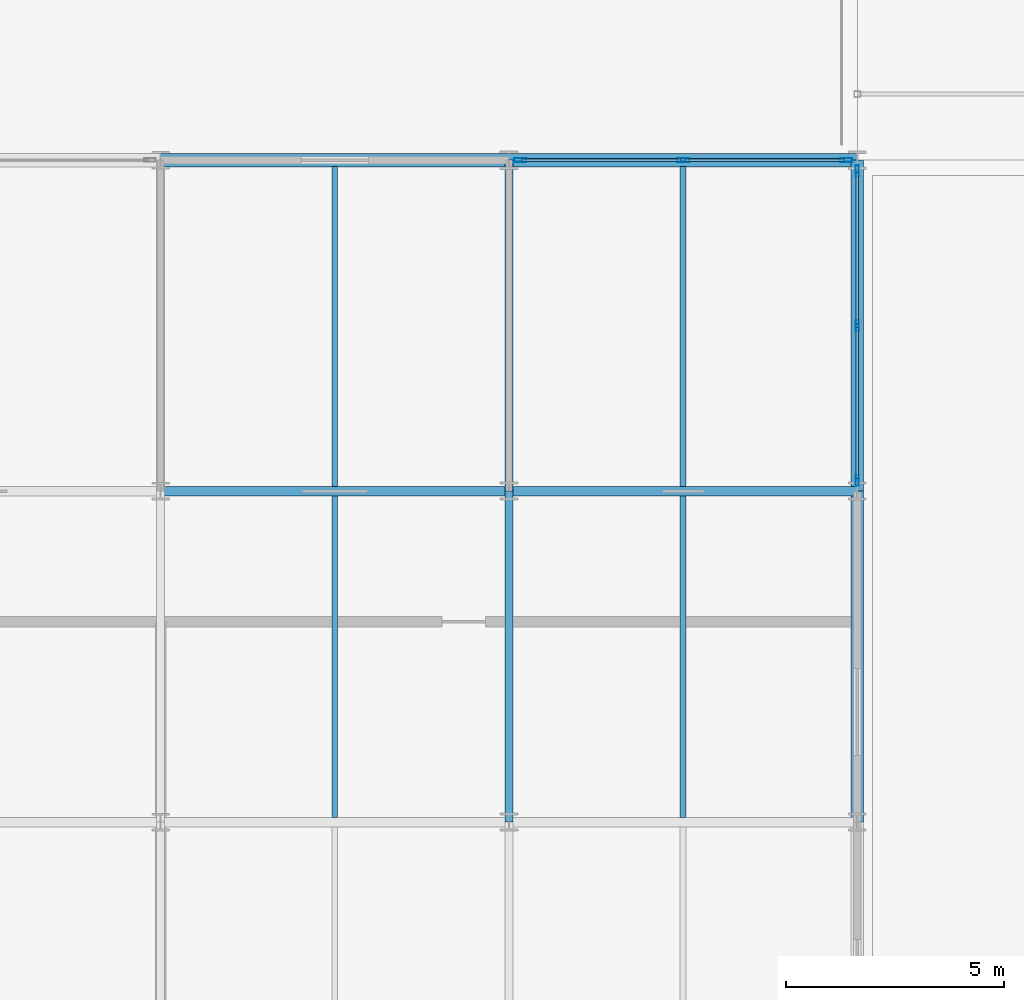
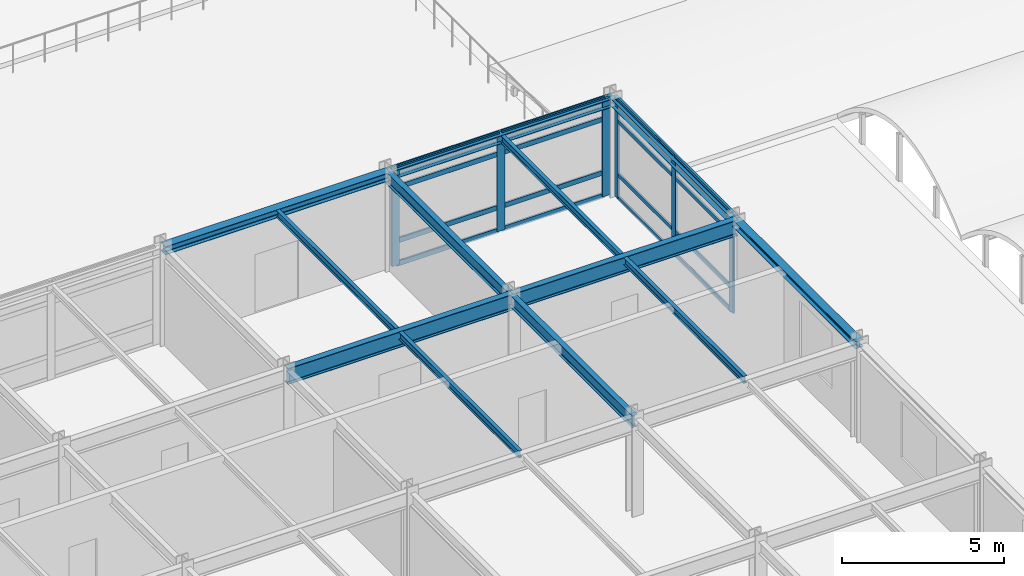
# One storey, part 11 of 46: 22 members, 12 beams, 2 elements without a shape of their own.
"""IFC4 building model written with IfcOpenShell, lengths in metres."""

from ifc_helpers import new_model, si_unit, direction, frame, origin, origin_2d, place, context, subcontext, project, spatial, hollow_rectangle, i_section, extrude, material, layer, layer_set, material_profile, profile_set, type_object, element, aggregate, save


model = new_model("IFC4")

# Units and contexts
model_context = context("Model", 3, precision=1e-05, world=origin(), true_north=direction((0.0, 1.0)))
body_context = subcontext(model_context, "Body", "Model", "MODEL_VIEW")
ifc_project = project(units=[si_unit("LENGTHUNIT", "METRE"), si_unit("AREAUNIT", "SQUARE_METRE"), si_unit("VOLUMEUNIT", "CUBIC_METRE"), si_unit("PLANEANGLEUNIT", "RADIAN"), si_unit("MASSUNIT", "GRAM", prefix="KILO")], contexts=[model_context])

# Site, building, storey
site_placement = place(None, origin())
site = spatial("IfcSite", under=ifc_project, at=site_placement, CompositionType="ELEMENT")
building_placement = place(site_placement, origin())
building = spatial("IfcBuilding", under=site, at=building_placement, Name="Shalkamar Park Central Library", CompositionType="ELEMENT")
storey_placement = place(building_placement, frame((0.0, 0.0, 20.39990234375)))
storey = spatial("IfcBuildingStorey", under=building, at=storey_placement, Name="L05", CompositionType="ELEMENT", Elevation=20.39990234375)

# Beams
ifc_material_1 = material(Name="Steel S355", Category="steel")
ifc_material_profile_1 = material_profile(ifc_material_1, i_section(OverallWidth=0.135009765625, OverallDepth=0.27001953125, WebThickness=0.006591796875, FlangeThickness=0.01025390625, FilletRadius=0.014892578125, at=origin_2d()), Name="IPE 270")
ifc_profile_set_1 = profile_set([ifc_material_profile_1], Name="Steel S355")
beam_type_1 = type_object("IfcBeamType", Name="Composite Floor Joist IPE270", PredefinedType="JOIST", material=ifc_profile_set_1)
beam_1_placement = place(storey_placement, frame((209.0, 278.10791015625, 3.525146484375), z_axis=(0.0, 1.0, 0.0), x_axis=(-1.0, 0.0, 0.0)))
element("IfcBeam", 1, at=beam_1_placement, inside=storey, type_object=beam_type_1, Name="Composite Joist 12/F-1 (L05)", PredefinedType="JOIST", context=body_context, shape_type="SweptSolid", body=[
    extrude(i_section(OverallWidth=0.135009765625, OverallDepth=0.27001953125, WebThickness=0.006591796875, FlangeThickness=0.01025390625, FilletRadius=0.014892578125, at=origin_2d()), origin(), (0.0, 0.0, 1.0), 7.384033203125),
])
beam_2_placement = place(storey_placement, frame((209.0, 285.7080078125, 3.525146484375), z_axis=(0.0, 1.0, 0.0), x_axis=(-1.0, 0.0, 0.0)))
element("IfcBeam", 2, at=beam_2_placement, inside=storey, type_object=beam_type_1, Name="Composite Joist 12/G-1 (L05)", PredefinedType="JOIST", context=body_context, shape_type="SweptSolid", body=[
    extrude(i_section(OverallWidth=0.135009765625, OverallDepth=0.27001953125, WebThickness=0.006591796875, FlangeThickness=0.01025390625, FilletRadius=0.014892578125, at=origin_2d()), origin(), (0.0, 0.0, 1.0), 7.343994140625),
])
beam_3_placement = place(storey_placement, frame((217.0, 278.10791015625, 3.525146484375), z_axis=(0.0, 1.0, 0.0), x_axis=(-1.0, 0.0, 0.0)))
element("IfcBeam", 3, at=beam_3_placement, inside=storey, type_object=beam_type_1, Name="Composite Joist 13/F-1 (L05)", PredefinedType="JOIST", context=body_context, shape_type="SweptSolid", body=[
    extrude(i_section(OverallWidth=0.135009765625, OverallDepth=0.27001953125, WebThickness=0.006591796875, FlangeThickness=0.01025390625, FilletRadius=0.014892578125, at=origin_2d()), origin(), (0.0, 0.0, 1.0), 7.384033203125),
])
beam_4_placement = place(storey_placement, frame((217.0, 285.7080078125, 3.525146484375), z_axis=(0.0, 1.0, 0.0), x_axis=(-1.0, 0.0, 0.0)))
element("IfcBeam", 4, at=beam_4_placement, inside=storey, type_object=beam_type_1, Name="Composite Joist 13/G-1 (L05)", PredefinedType="JOIST", context=body_context, shape_type="SweptSolid", body=[
    extrude(i_section(OverallWidth=0.135009765625, OverallDepth=0.27001953125, WebThickness=0.006591796875, FlangeThickness=0.01025390625, FilletRadius=0.014892578125, at=origin_2d()), origin(), (0.0, 0.0, 1.0), 7.343994140625),
])

# Curtain wall, members
ifc_material_2 = material(Name="Thermally broken aluminium and triple low-e curtain wall", Category="aluminium")
ifc_layer_1 = layer(ifc_material_2, 0.260009765625)
ifc_layer_set_1 = layer_set([ifc_layer_1], Name="UnitisedCurtainWall_71")
curtain_wall_type_1 = type_object("IfcCurtainWallType", Name="Unitised Curtain Wall 71", PredefinedType="USERDEFINED", material=ifc_layer_set_1)
curtain_wall_1_placement = place(storey_placement, origin())
curtain_wall_1 = element("IfcCurtainWall", 5, at=curtain_wall_1_placement, inside=storey, type_object=curtain_wall_type_1, Name="Unitised Curtain Wall CW-L05-088", ObjectType="UNITISED CURTAIN WALL", PredefinedType="USERDEFINED")
ifc_material_3 = material(Name="Aluminium 6060-T66", Category="aluminium")
ifc_material_profile_2 = material_profile(ifc_material_3, hollow_rectangle(XDim=0.074951171875, YDim=0.260009765625, WallThickness=0.00439453125, InnerFilletRadius=0.00439453125, OuterFilletRadius=0.0068359375, at=origin_2d()), Name="ALU 75x260x4.5")
ifc_profile_set_2 = profile_set([ifc_material_profile_2], Name="Aluminium 6060-T66")
member_type_1 = type_object("IfcMemberType", Name="Curtain Wall Mullion ALU75x260", PredefinedType="MULLION", material=ifc_profile_set_2)
member_1_placement = place(storey_placement, frame((221.0, 285.849609375, 0.0), z_axis=(0.0, 0.0, 1.0), x_axis=(-1.0, 0.0, 0.0)))
member_1 = element("IfcMember", 6, at=member_1_placement, type_object=member_type_1, Name="CW-71 mullion 1", PredefinedType="MULLION", context=body_context, shape_type="SweptSolid", body=[
    extrude(hollow_rectangle(XDim=0.074951171875, YDim=0.260009765625, WallThickness=0.00439453125, InnerFilletRadius=0.00439453125, OuterFilletRadius=0.0068359375, at=origin_2d()), origin(), (0.0, 0.0, 1.0), 3.66015625),
])
member_2_placement = place(storey_placement, frame((221.0, 289.39990234375, 0.0), z_axis=(0.0, 0.0, 1.0), x_axis=(-1.0, 0.0, 0.0)))
member_2 = element("IfcMember", 7, at=member_2_placement, type_object=member_type_1, Name="CW-71 mullion 2", PredefinedType="MULLION", context=body_context, shape_type="SweptSolid", body=[
    extrude(hollow_rectangle(XDim=0.074951171875, YDim=0.260009765625, WallThickness=0.00439453125, InnerFilletRadius=0.00439453125, OuterFilletRadius=0.0068359375, at=origin_2d()), origin(), (0.0, 0.0, 1.0), 3.66015625),
])
member_3_placement = place(storey_placement, frame((221.0, 292.950439453125, 0.0), z_axis=(0.0, 0.0, 1.0), x_axis=(-1.0, 0.0, 0.0)))
member_3 = element("IfcMember", 8, at=member_3_placement, type_object=member_type_1, Name="CW-71 mullion 3", PredefinedType="MULLION", context=body_context, shape_type="SweptSolid", body=[
    extrude(hollow_rectangle(XDim=0.074951171875, YDim=0.260009765625, WallThickness=0.00439453125, InnerFilletRadius=0.00439453125, OuterFilletRadius=0.0068359375, at=origin_2d()), origin(), (0.0, 0.0, 1.0), 3.66015625),
])

ifc_layer_2 = layer(ifc_material_2, 0.280029296875)
ifc_layer_set_2 = layer_set([ifc_layer_2], Name="UnitisedCurtainWall_67")
curtain_wall_type_2 = type_object("IfcCurtainWallType", Name="Unitised Curtain Wall 67", PredefinedType="USERDEFINED", material=ifc_layer_set_2)
curtain_wall_2_placement = place(storey_placement, origin())
curtain_wall_2 = element("IfcCurtainWall", 9, at=curtain_wall_2_placement, inside=storey, type_object=curtain_wall_type_2, Name="Unitised Curtain Wall CW-L05-086", ObjectType="UNITISED CURTAIN WALL", PredefinedType="USERDEFINED")
ifc_material_profile_3 = material_profile(ifc_material_3, hollow_rectangle(XDim=0.090087890625, YDim=0.280029296875, WallThickness=0.0048828125, InnerFilletRadius=0.0048828125, OuterFilletRadius=0.007568359375, at=origin_2d()), Name="ALU 90x280x5")
ifc_profile_set_3 = profile_set([ifc_material_profile_3], Name="Aluminium 6060-T66")
member_type_2 = type_object("IfcMemberType", Name="Curtain Wall Mullion ALU90x280", PredefinedType="MULLION", material=ifc_profile_set_3)
member_4_placement = place(storey_placement, frame((213.257080078125, 293.199951171875, 0.0), z_axis=(0.0, 0.0, 1.0), x_axis=(0.0, 1.0, 0.0)))
member_4 = element("IfcMember", 10, at=member_4_placement, type_object=member_type_2, Name="CW-67 mullion 1", PredefinedType="MULLION", context=body_context, shape_type="SweptSolid", body=[
    extrude(hollow_rectangle(XDim=0.090087890625, YDim=0.280029296875, WallThickness=0.0048828125, InnerFilletRadius=0.0048828125, OuterFilletRadius=0.007568359375, at=origin_2d()), origin(), (0.0, 0.0, 1.0), 3.66015625),
])
member_5_placement = place(storey_placement, frame((217.0, 293.199951171875, 0.0), z_axis=(0.0, 0.0, 1.0), x_axis=(0.0, 1.0, 0.0)))
member_5 = element("IfcMember", 11, at=member_5_placement, type_object=member_type_2, Name="CW-67 mullion 2", PredefinedType="MULLION", context=body_context, shape_type="SweptSolid", body=[
    extrude(hollow_rectangle(XDim=0.090087890625, YDim=0.280029296875, WallThickness=0.0048828125, InnerFilletRadius=0.0048828125, OuterFilletRadius=0.007568359375, at=origin_2d()), origin(), (0.0, 0.0, 1.0), 3.66015625),
])
member_6_placement = place(storey_placement, frame((220.742919921875, 293.199951171875, 0.0), z_axis=(0.0, 0.0, 1.0), x_axis=(0.0, 1.0, 0.0)))
member_6 = element("IfcMember", 12, at=member_6_placement, type_object=member_type_2, Name="CW-67 mullion 3", PredefinedType="MULLION", context=body_context, shape_type="SweptSolid", body=[
    extrude(hollow_rectangle(XDim=0.090087890625, YDim=0.280029296875, WallThickness=0.0048828125, InnerFilletRadius=0.0048828125, OuterFilletRadius=0.007568359375, at=origin_2d()), origin(), (0.0, 0.0, 1.0), 3.66015625),
])

# Member
ifc_material_profile_4 = material_profile(ifc_material_3, hollow_rectangle(XDim=0.06005859375, YDim=0.1650390625, WallThickness=0.00390625, InnerFilletRadius=0.00390625, OuterFilletRadius=0.006103515625, at=origin_2d()), Name="ALU 60x165x4")
ifc_profile_set_4 = profile_set([ifc_material_profile_4], Name="Aluminium 6060-T66")
member_type_3 = type_object("IfcMemberType", Name="Curtain Wall Transom ALU60x165", PredefinedType="USERDEFINED", material=ifc_profile_set_4)
member_7_placement = place(storey_placement, frame((221.0, 285.886962890625, 0.030029296875), z_axis=(0.0, 1.0, 0.0), x_axis=(-1.0, 0.0, 0.0)))
member_7 = element("IfcMember", 13, at=member_7_placement, type_object=member_type_3, Name="CW-71 transom 1.1", ObjectType="TRANSOM", PredefinedType="USERDEFINED", context=body_context, shape_type="SweptSolid", body=[
    extrude(hollow_rectangle(XDim=0.06005859375, YDim=0.1650390625, WallThickness=0.00390625, InnerFilletRadius=0.00390625, OuterFilletRadius=0.006103515625, at=origin_2d()), origin(), (0.0, 0.0, 1.0), 3.4755859375),
])

member_8_placement = place(storey_placement, frame((221.0, 285.886962890625, 0.900146484375), z_axis=(0.0, 1.0, 0.0), x_axis=(-1.0, 0.0, 0.0)))
member_8 = element("IfcMember", 14, at=member_8_placement, type_object=member_type_3, Name="CW-71 transom 1.2", ObjectType="TRANSOM", PredefinedType="USERDEFINED", context=body_context, shape_type="SweptSolid", body=[
    extrude(hollow_rectangle(XDim=0.06005859375, YDim=0.1650390625, WallThickness=0.00390625, InnerFilletRadius=0.00390625, OuterFilletRadius=0.006103515625, at=origin_2d()), origin(), (0.0, 0.0, 1.0), 3.4755859375),
])

member_9_placement = place(storey_placement, frame((221.0, 285.886962890625, 2.91015625), z_axis=(0.0, 1.0, 0.0), x_axis=(-1.0, 0.0, 0.0)))
member_9 = element("IfcMember", 15, at=member_9_placement, type_object=member_type_3, Name="CW-71 transom 1.3", ObjectType="TRANSOM", PredefinedType="USERDEFINED", context=body_context, shape_type="SweptSolid", body=[
    extrude(hollow_rectangle(XDim=0.06005859375, YDim=0.1650390625, WallThickness=0.00390625, InnerFilletRadius=0.00390625, OuterFilletRadius=0.006103515625, at=origin_2d()), origin(), (0.0, 0.0, 1.0), 3.4755859375),
])

member_10_placement = place(storey_placement, frame((221.0, 285.886962890625, 3.630126953125), z_axis=(0.0, 1.0, 0.0), x_axis=(-1.0, 0.0, 0.0)))
member_10 = element("IfcMember", 16, at=member_10_placement, type_object=member_type_3, Name="CW-71 transom 1.4", ObjectType="TRANSOM", PredefinedType="USERDEFINED", context=body_context, shape_type="SweptSolid", body=[
    extrude(hollow_rectangle(XDim=0.06005859375, YDim=0.1650390625, WallThickness=0.00390625, InnerFilletRadius=0.00390625, OuterFilletRadius=0.006103515625, at=origin_2d()), origin(), (0.0, 0.0, 1.0), 3.4755859375),
])

member_11_placement = place(storey_placement, frame((221.0, 289.4375, 0.030029296875), z_axis=(0.0, 1.0, 0.0), x_axis=(-1.0, 0.0, 0.0)))
member_11 = element("IfcMember", 17, at=member_11_placement, type_object=member_type_3, Name="CW-71 transom 2.1", ObjectType="TRANSOM", PredefinedType="USERDEFINED", context=body_context, shape_type="SweptSolid", body=[
    extrude(hollow_rectangle(XDim=0.06005859375, YDim=0.1650390625, WallThickness=0.00390625, InnerFilletRadius=0.00390625, OuterFilletRadius=0.006103515625, at=origin_2d()), origin(), (0.0, 0.0, 1.0), 3.4755859375),
])

member_12_placement = place(storey_placement, frame((221.0, 289.4375, 0.900146484375), z_axis=(0.0, 1.0, 0.0), x_axis=(-1.0, 0.0, 0.0)))
member_12 = element("IfcMember", 18, at=member_12_placement, type_object=member_type_3, Name="CW-71 transom 2.2", ObjectType="TRANSOM", PredefinedType="USERDEFINED", context=body_context, shape_type="SweptSolid", body=[
    extrude(hollow_rectangle(XDim=0.06005859375, YDim=0.1650390625, WallThickness=0.00390625, InnerFilletRadius=0.00390625, OuterFilletRadius=0.006103515625, at=origin_2d()), origin(), (0.0, 0.0, 1.0), 3.4755859375),
])

member_13_placement = place(storey_placement, frame((221.0, 289.4375, 2.91015625), z_axis=(0.0, 1.0, 0.0), x_axis=(-1.0, 0.0, 0.0)))
member_13 = element("IfcMember", 19, at=member_13_placement, type_object=member_type_3, Name="CW-71 transom 2.3", ObjectType="TRANSOM", PredefinedType="USERDEFINED", context=body_context, shape_type="SweptSolid", body=[
    extrude(hollow_rectangle(XDim=0.06005859375, YDim=0.1650390625, WallThickness=0.00390625, InnerFilletRadius=0.00390625, OuterFilletRadius=0.006103515625, at=origin_2d()), origin(), (0.0, 0.0, 1.0), 3.4755859375),
])

member_14_placement = place(storey_placement, frame((221.0, 289.4375, 3.630126953125), z_axis=(0.0, 1.0, 0.0), x_axis=(-1.0, 0.0, 0.0)))
member_14 = element("IfcMember", 20, at=member_14_placement, type_object=member_type_3, Name="CW-71 transom 2.4", ObjectType="TRANSOM", PredefinedType="USERDEFINED", context=body_context, shape_type="SweptSolid", body=[
    extrude(hollow_rectangle(XDim=0.06005859375, YDim=0.1650390625, WallThickness=0.00390625, InnerFilletRadius=0.00390625, OuterFilletRadius=0.006103515625, at=origin_2d()), origin(), (0.0, 0.0, 1.0), 3.4755859375),
])

aggregate(curtain_wall_1, [member_1, member_2, member_3, member_7, member_8, member_9, member_10, member_11, member_12, member_13, member_14])

ifc_material_profile_5 = material_profile(ifc_material_3, hollow_rectangle(XDim=0.070068359375, YDim=0.18994140625, WallThickness=0.0048828125, InnerFilletRadius=0.0048828125, OuterFilletRadius=0.007568359375, at=origin_2d()), Name="ALU 70x190x5")
ifc_profile_set_5 = profile_set([ifc_material_profile_5], Name="Aluminium 6060-T66")
member_type_4 = type_object("IfcMemberType", Name="Curtain Wall Transom ALU70x190", PredefinedType="USERDEFINED", material=ifc_profile_set_5)
member_15_placement = place(storey_placement, frame((213.302001953125, 293.199951171875, 0.03515625), z_axis=(1.0, 0.0, 0.0), x_axis=(0.0, 1.0, 0.0)))
member_15 = element("IfcMember", 21, at=member_15_placement, type_object=member_type_4, Name="CW-67 transom 1.1", ObjectType="TRANSOM", PredefinedType="USERDEFINED", context=body_context, shape_type="SweptSolid", body=[
    extrude(hollow_rectangle(XDim=0.070068359375, YDim=0.18994140625, WallThickness=0.0048828125, InnerFilletRadius=0.0048828125, OuterFilletRadius=0.007568359375, at=origin_2d()), origin(), (0.0, 0.0, 1.0), 3.653076171875),
])

member_16_placement = place(storey_placement, frame((213.302001953125, 293.199951171875, 0.900146484375), z_axis=(1.0, 0.0, 0.0), x_axis=(0.0, 1.0, 0.0)))
member_16 = element("IfcMember", 22, at=member_16_placement, type_object=member_type_4, Name="CW-67 transom 1.2", ObjectType="TRANSOM", PredefinedType="USERDEFINED", context=body_context, shape_type="SweptSolid", body=[
    extrude(hollow_rectangle(XDim=0.070068359375, YDim=0.18994140625, WallThickness=0.0048828125, InnerFilletRadius=0.0048828125, OuterFilletRadius=0.007568359375, at=origin_2d()), origin(), (0.0, 0.0, 1.0), 3.653076171875),
])

member_17_placement = place(storey_placement, frame((213.302001953125, 293.199951171875, 2.91015625), z_axis=(1.0, 0.0, 0.0), x_axis=(0.0, 1.0, 0.0)))
member_17 = element("IfcMember", 23, at=member_17_placement, type_object=member_type_4, Name="CW-67 transom 1.3", ObjectType="TRANSOM", PredefinedType="USERDEFINED", context=body_context, shape_type="SweptSolid", body=[
    extrude(hollow_rectangle(XDim=0.070068359375, YDim=0.18994140625, WallThickness=0.0048828125, InnerFilletRadius=0.0048828125, OuterFilletRadius=0.007568359375, at=origin_2d()), origin(), (0.0, 0.0, 1.0), 3.653076171875),
])

member_18_placement = place(storey_placement, frame((213.302001953125, 293.199951171875, 3.625), z_axis=(1.0, 0.0, 0.0), x_axis=(0.0, 1.0, 0.0)))
member_18 = element("IfcMember", 24, at=member_18_placement, type_object=member_type_4, Name="CW-67 transom 1.4", ObjectType="TRANSOM", PredefinedType="USERDEFINED", context=body_context, shape_type="SweptSolid", body=[
    extrude(hollow_rectangle(XDim=0.070068359375, YDim=0.18994140625, WallThickness=0.0048828125, InnerFilletRadius=0.0048828125, OuterFilletRadius=0.007568359375, at=origin_2d()), origin(), (0.0, 0.0, 1.0), 3.653076171875),
])

member_19_placement = place(storey_placement, frame((217.044921875, 293.199951171875, 0.03515625), z_axis=(1.0, 0.0, 0.0), x_axis=(0.0, 1.0, 0.0)))
member_19 = element("IfcMember", 25, at=member_19_placement, type_object=member_type_4, Name="CW-67 transom 2.1", ObjectType="TRANSOM", PredefinedType="USERDEFINED", context=body_context, shape_type="SweptSolid", body=[
    extrude(hollow_rectangle(XDim=0.070068359375, YDim=0.18994140625, WallThickness=0.0048828125, InnerFilletRadius=0.0048828125, OuterFilletRadius=0.007568359375, at=origin_2d()), origin(), (0.0, 0.0, 1.0), 3.653076171875),
])

member_20_placement = place(storey_placement, frame((217.044921875, 293.199951171875, 0.900146484375), z_axis=(1.0, 0.0, 0.0), x_axis=(0.0, 1.0, 0.0)))
member_20 = element("IfcMember", 26, at=member_20_placement, type_object=member_type_4, Name="CW-67 transom 2.2", ObjectType="TRANSOM", PredefinedType="USERDEFINED", context=body_context, shape_type="SweptSolid", body=[
    extrude(hollow_rectangle(XDim=0.070068359375, YDim=0.18994140625, WallThickness=0.0048828125, InnerFilletRadius=0.0048828125, OuterFilletRadius=0.007568359375, at=origin_2d()), origin(), (0.0, 0.0, 1.0), 3.653076171875),
])

member_21_placement = place(storey_placement, frame((217.044921875, 293.199951171875, 2.91015625), z_axis=(1.0, 0.0, 0.0), x_axis=(0.0, 1.0, 0.0)))
member_21 = element("IfcMember", 27, at=member_21_placement, type_object=member_type_4, Name="CW-67 transom 2.3", ObjectType="TRANSOM", PredefinedType="USERDEFINED", context=body_context, shape_type="SweptSolid", body=[
    extrude(hollow_rectangle(XDim=0.070068359375, YDim=0.18994140625, WallThickness=0.0048828125, InnerFilletRadius=0.0048828125, OuterFilletRadius=0.007568359375, at=origin_2d()), origin(), (0.0, 0.0, 1.0), 3.653076171875),
])

member_22_placement = place(storey_placement, frame((217.044921875, 293.199951171875, 3.625), z_axis=(1.0, 0.0, 0.0), x_axis=(0.0, 1.0, 0.0)))
member_22 = element("IfcMember", 28, at=member_22_placement, type_object=member_type_4, Name="CW-67 transom 2.4", ObjectType="TRANSOM", PredefinedType="USERDEFINED", context=body_context, shape_type="SweptSolid", body=[
    extrude(hollow_rectangle(XDim=0.070068359375, YDim=0.18994140625, WallThickness=0.0048828125, InnerFilletRadius=0.0048828125, OuterFilletRadius=0.007568359375, at=origin_2d()), origin(), (0.0, 0.0, 1.0), 3.653076171875),
])

aggregate(curtain_wall_2, [member_4, member_5, member_6, member_15, member_16, member_17, member_18, member_19, member_20, member_21, member_22])

# Beams
ifc_material_profile_6 = material_profile(ifc_material_1, i_section(OverallWidth=0.280029296875, OverallDepth=0.27001953125, WebThickness=0.008056640625, FlangeThickness=0.012939453125, FilletRadius=0.02392578125, at=origin_2d()), Name="HEA 280")
ifc_profile_set_6 = profile_set([ifc_material_profile_6], Name="Steel S355")
beam_type_2 = type_object("IfcBeamType", Name="Perimeter Spandrel Beam HEA280", PredefinedType="SPANDREL", material=ifc_profile_set_6)
beam_5_placement = place(storey_placement, frame((221.0, 278.0, 3.525146484375), z_axis=(0.0, 1.0, 0.0), x_axis=(-1.0, 0.0, 0.0)))
element("IfcBeam", 29, at=beam_5_placement, inside=storey, type_object=beam_type_2, Name="Beam 14:F-G (L05)", PredefinedType="SPANDREL", context=body_context, shape_type="SweptSolid", body=[
    extrude(i_section(OverallWidth=0.280029296875, OverallDepth=0.27001953125, WebThickness=0.008056640625, FlangeThickness=0.012939453125, FilletRadius=0.02392578125, at=origin_2d()), origin(), (0.0, 0.0, 1.0), 7.60009765625),
])
beam_6_placement = place(storey_placement, frame((221.0, 285.60009765625, 3.525146484375), z_axis=(0.0, 1.0, 0.0), x_axis=(-1.0, 0.0, 0.0)))
element("IfcBeam", 30, at=beam_6_placement, inside=storey, type_object=beam_type_2, Name="Beam 14:G-H (L05)", PredefinedType="SPANDREL", context=body_context, shape_type="SweptSolid", body=[
    extrude(i_section(OverallWidth=0.280029296875, OverallDepth=0.27001953125, WebThickness=0.008056640625, FlangeThickness=0.012939453125, FilletRadius=0.02392578125, at=origin_2d()), origin(), (0.0, 0.0, 1.0), 7.599853515625),
])
ifc_material_profile_7 = material_profile(ifc_material_1, i_section(OverallWidth=0.300048828125, OverallDepth=0.31005859375, WebThickness=0.009033203125, FlangeThickness=0.015380859375, FilletRadius=0.027099609375, at=origin_2d()), Name="HEA 320")
ifc_profile_set_7 = profile_set([ifc_material_profile_7], Name="Steel S355")
beam_type_3 = type_object("IfcBeamType", Name="Perimeter Spandrel Beam HEA320", PredefinedType="SPANDREL", material=ifc_profile_set_7)
for number, where, z_axis, x_axis, name in (
    (31, (205.0, 293.199951171875, 3.505126953125), (1.0, 0.0, 0.0), (0.0, 1.0, 0.0), "Beam H:12-13 (L05)"),
    (32, (213.0, 293.199951171875, 3.505126953125), (1.0, 0.0, 0.0), (0.0, 1.0, 0.0), "Beam H:13-14 (L05)"),
):
    element("IfcBeam", number, at=place(storey_placement, frame(where, z_axis=z_axis, x_axis=x_axis)), inside=storey, type_object=beam_type_3, Name=name, PredefinedType="SPANDREL", context=body_context, shape_type="SweptSolid", body=[
        extrude(i_section(OverallWidth=0.300048828125, OverallDepth=0.31005859375, WebThickness=0.009033203125, FlangeThickness=0.015380859375, FilletRadius=0.027099609375, at=origin_2d()), origin(), (0.0, 0.0, 1.0), 8.0),
    ])
ifc_material_profile_8 = material_profile(ifc_material_1, i_section(OverallWidth=0.18994140625, OverallDepth=0.449951171875, WebThickness=0.009521484375, FlangeThickness=0.0146484375, FilletRadius=0.02099609375, at=origin_2d()), Name="IPE 450")
ifc_profile_set_8 = profile_set([ifc_material_profile_8], Name="Steel S355")
beam_type_4 = type_object("IfcBeamType", Name="Primary Girder IPE450", PredefinedType="BEAM", material=ifc_profile_set_8)
beam_7_placement = place(storey_placement, frame((213.0, 278.0, 3.43505859375), z_axis=(0.0, 1.0, 0.0), x_axis=(-1.0, 0.0, 0.0)))
element("IfcBeam", 33, at=beam_7_placement, inside=storey, type_object=beam_type_4, Name="Beam 13:F-G (L05)", PredefinedType="BEAM", context=body_context, shape_type="SweptSolid", body=[
    extrude(i_section(OverallWidth=0.18994140625, OverallDepth=0.449951171875, WebThickness=0.009521484375, FlangeThickness=0.0146484375, FilletRadius=0.02099609375, at=origin_2d()), origin(), (0.0, 0.0, 1.0), 7.60009765625),
])
beam_8_placement = place(storey_placement, frame((213.0, 285.60009765625, 3.43505859375), z_axis=(0.0, 1.0, 0.0), x_axis=(-1.0, 0.0, 0.0)))
element("IfcBeam", 34, at=beam_8_placement, inside=storey, type_object=beam_type_4, Name="Beam 13:G-H (L05)", PredefinedType="BEAM", context=body_context, shape_type="SweptSolid", body=[
    extrude(i_section(OverallWidth=0.18994140625, OverallDepth=0.449951171875, WebThickness=0.009521484375, FlangeThickness=0.0146484375, FilletRadius=0.02099609375, at=origin_2d()), origin(), (0.0, 0.0, 1.0), 7.599853515625),
])
ifc_material_profile_9 = material_profile(ifc_material_1, i_section(OverallWidth=0.219970703125, OverallDepth=0.60009765625, WebThickness=0.011962890625, FlangeThickness=0.01904296875, FilletRadius=0.02392578125, at=origin_2d()), Name="IPE 600")
ifc_profile_set_9 = profile_set([ifc_material_profile_9], Name="Steel S355")
beam_type_5 = type_object("IfcBeamType", Name="Primary Girder IPE600", PredefinedType="BEAM", material=ifc_profile_set_9)
for number, where, z_axis, x_axis, name in (
    (35, (205.0, 285.60009765625, 3.360107421875), (1.0, 0.0, 0.0), (0.0, 1.0, 0.0), "Beam G:12-13 (L05)"),
    (36, (213.0, 285.60009765625, 3.360107421875), (1.0, 0.0, 0.0), (0.0, 1.0, 0.0), "Beam G:13-14 (L05)"),
):
    element("IfcBeam", number, at=place(storey_placement, frame(where, z_axis=z_axis, x_axis=x_axis)), inside=storey, type_object=beam_type_5, Name=name, PredefinedType="BEAM", context=body_context, shape_type="SweptSolid", body=[
        extrude(i_section(OverallWidth=0.219970703125, OverallDepth=0.60009765625, WebThickness=0.011962890625, FlangeThickness=0.01904296875, FilletRadius=0.02392578125, at=origin_2d()), origin(), (0.0, 0.0, 1.0), 8.0),
    ])

save(model, "model.ifc")
